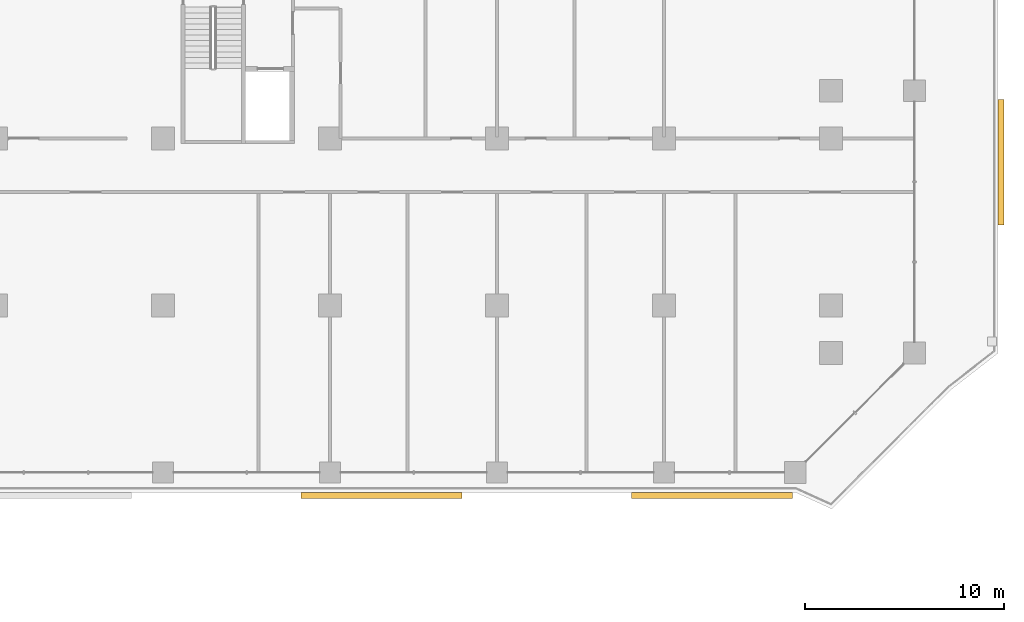
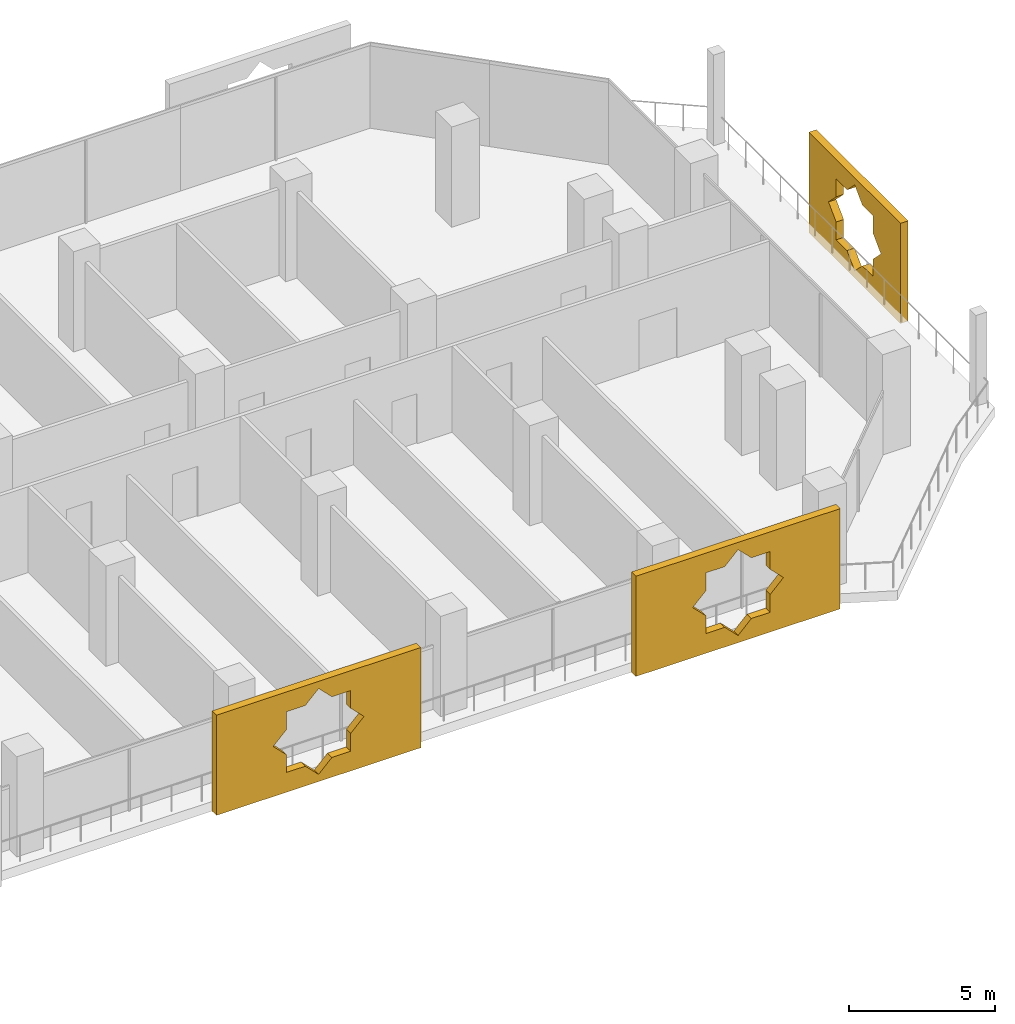
# One storey, part 22 of 25: 3 coverings.
"""IFC4 building model written with IfcOpenShell, lengths in metres."""

from ifc_helpers import new_model, si_unit, direction, frame, origin, place, context, subcontext, project, spatial, polyline, outline, extrude, material, material_profile, profile_set, type_object, element, save


model = new_model("IFC4")

# Units and contexts
model_context = context("Model", 3, precision=1e-05, world=origin(), true_north=direction((0.0, 1.0)))
body_context = subcontext(model_context, "Body", "Model", "MODEL_VIEW")
ifc_project = project(units=[si_unit("LENGTHUNIT", "METRE"), si_unit("AREAUNIT", "SQUARE_METRE"), si_unit("VOLUMEUNIT", "CUBIC_METRE"), si_unit("PLANEANGLEUNIT", "RADIAN"), si_unit("MASSUNIT", "GRAM", prefix="KILO")], contexts=[model_context])

# Site, building, storey
site_placement = place(None, origin())
site = spatial("IfcSite", under=ifc_project, at=site_placement, CompositionType="ELEMENT")
building_placement = place(site_placement, origin())
building = spatial("IfcBuilding", under=site, at=building_placement, Name="Kawkab Arch Medical Tower", CompositionType="ELEMENT")
storey_placement = place(building_placement, frame((0.0, 0.0, 98.800048828125)))
storey = spatial("IfcBuildingStorey", under=building, at=storey_placement, Name="L22", CompositionType="ELEMENT", Elevation=98.800048828125)

# Coverings
ifc_material_1 = material(Name="Bronze anodised aluminium mashrabiya panel, eight-point star pattern", Category="aluminium")
ifc_material_profile_1 = material_profile(ifc_material_1, outline(polyline([(-3.14990234375, -2.10009765625), (3.14990234375, -2.10009765625), (3.14990234375, 2.10009765625), (-3.14990234375, 2.10009765625), (-3.14990234375, -2.10009765625)]), holes=[polyline([(1.800048828125, 0.0), (1.272705078125, 0.527099609375), (1.272705078125, 1.272705078125), (0.527099609375, 1.272705078125), (0.0, 1.800048828125), (-0.527099609375, 1.272705078125), (-1.272705078125, 1.272705078125), (-1.272705078125, 0.527099609375), (-1.800048828125, 0.0), (-1.272705078125, -0.527099609375), (-1.272705078125, -1.272705078125), (-0.527099609375, -1.272705078125), (0.0, -1.800048828125), (0.527099609375, -1.272705078125), (1.272705078125, -1.272705078125), (1.272705078125, -0.527099609375), (1.800048828125, 0.0)])]), Name="Mashrabiya panel 6300x4200")
ifc_profile_set_1 = profile_set([ifc_material_profile_1], Name="Bronze anodised aluminium mashrabiya panel, eight-point star pattern")
covering_type_1 = type_object("IfcCoveringType", Name="Mashrabiya panel 6300 x 4200", PredefinedType="USERDEFINED", material=ifc_profile_set_1)
covering_placement = place(storey_placement, frame((84.0, -9.60009765625, 1.699951171875), z_axis=(1.0, 0.0, 0.0), x_axis=(0.0, 1.0, 0.0)))
element("IfcCovering", 1, at=covering_placement, inside=storey, type_object=covering_type_1, Name="Mashrabiya panel L22.LOG-01-01.9", ObjectType="SCREEN", PredefinedType="USERDEFINED", context=body_context, shape_type="SweptSolid", body=[
    extrude(outline(polyline([(-3.14990234375, -2.10009765625), (3.14990234375, -2.10009765625), (3.14990234375, 2.10009765625), (-3.14990234375, 2.10009765625), (-3.14990234375, -2.10009765625)]), holes=[polyline([(1.800048828125, 0.0), (1.272705078125, 0.527099609375), (1.272705078125, 1.272705078125), (0.527099609375, 1.272705078125), (0.0, 1.800048828125), (-0.527099609375, 1.272705078125), (-1.272705078125, 1.272705078125), (-1.272705078125, 0.527099609375), (-1.800048828125, 0.0), (-1.272705078125, -0.527099609375), (-1.272705078125, -1.272705078125), (-0.527099609375, -1.272705078125), (0.0, -1.800048828125), (0.527099609375, -1.272705078125), (1.272705078125, -1.272705078125), (1.272705078125, -0.527099609375), (1.800048828125, 0.0)])]), origin(), (0.0, 0.0, 1.0), 0.300048828125),
])
ifc_material_2 = material(Name="Bronze anodised aluminium mashrabiya panel, eight-point star pattern", Category="aluminium")
ifc_material_profile_2 = material_profile(ifc_material_2, outline(polyline([(-4.050048828125, -2.10009765625), (4.050048828125, -2.10009765625), (4.050048828125, 2.10009765625), (-4.050048828125, 2.10009765625), (-4.050048828125, -2.10009765625)]), holes=[polyline([(1.800048828125, 0.0), (1.272705078125, 0.527099609375), (1.272705078125, 1.272705078125), (0.527099609375, 1.272705078125), (0.0, 1.800048828125), (-0.527099609375, 1.272705078125), (-1.272705078125, 1.272705078125), (-1.272705078125, 0.527099609375), (-1.800048828125, 0.0), (-1.272705078125, -0.527099609375), (-1.272705078125, -1.272705078125), (-0.527099609375, -1.272705078125), (0.0, -1.800048828125), (0.527099609375, -1.272705078125), (1.272705078125, -1.272705078125), (1.272705078125, -0.527099609375), (1.800048828125, 0.0)])]), Name="Mashrabiya panel 8100x4200")
ifc_profile_set_2 = profile_set([ifc_material_profile_2], Name="Bronze anodised aluminium mashrabiya panel, eight-point star pattern")
covering_type_2 = type_object("IfcCoveringType", Name="Mashrabiya panel 8100 x 4200", PredefinedType="USERDEFINED", material=ifc_profile_set_2)
for number, where, z_axis, x_axis, name in (
    (2, (69.6201171875, -26.199951171875, 1.699951171875), (0.0, -1.0, 0.0), (1.0, 0.0, 0.0), "Mashrabiya panel L22.LOG-01-01.10"),
    (3, (52.9921875, -26.199951171875, 1.699951171875), (0.0, -1.0, 0.0), (1.0, 0.0, 0.0), "Mashrabiya panel L22.LOG-01-01.11"),
):
    element("IfcCovering", number, at=place(storey_placement, frame(where, z_axis=z_axis, x_axis=x_axis)), inside=storey, type_object=covering_type_2, Name=name, ObjectType="SCREEN", PredefinedType="USERDEFINED", context=body_context, shape_type="SweptSolid", body=[
        extrude(outline(polyline([(-4.050048828125, -2.10009765625), (4.050048828125, -2.10009765625), (4.050048828125, 2.10009765625), (-4.050048828125, 2.10009765625), (-4.050048828125, -2.10009765625)]), holes=[polyline([(1.800048828125, 0.0), (1.272705078125, 0.527099609375), (1.272705078125, 1.272705078125), (0.527099609375, 1.272705078125), (0.0, 1.800048828125), (-0.527099609375, 1.272705078125), (-1.272705078125, 1.272705078125), (-1.272705078125, 0.527099609375), (-1.800048828125, 0.0), (-1.272705078125, -0.527099609375), (-1.272705078125, -1.272705078125), (-0.527099609375, -1.272705078125), (0.0, -1.800048828125), (0.527099609375, -1.272705078125), (1.272705078125, -1.272705078125), (1.272705078125, -0.527099609375), (1.800048828125, 0.0)])]), origin(), (0.0, 0.0, 1.0), 0.300048828125),
    ])

save(model, "model.ifc")
